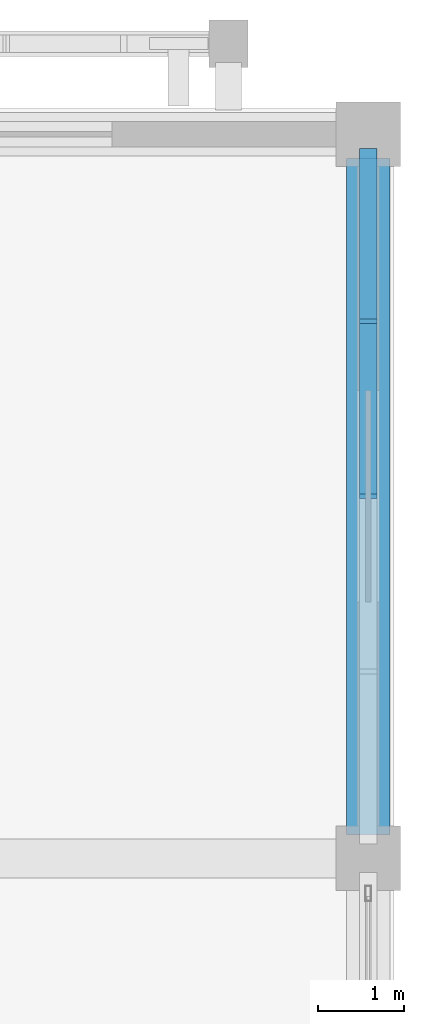
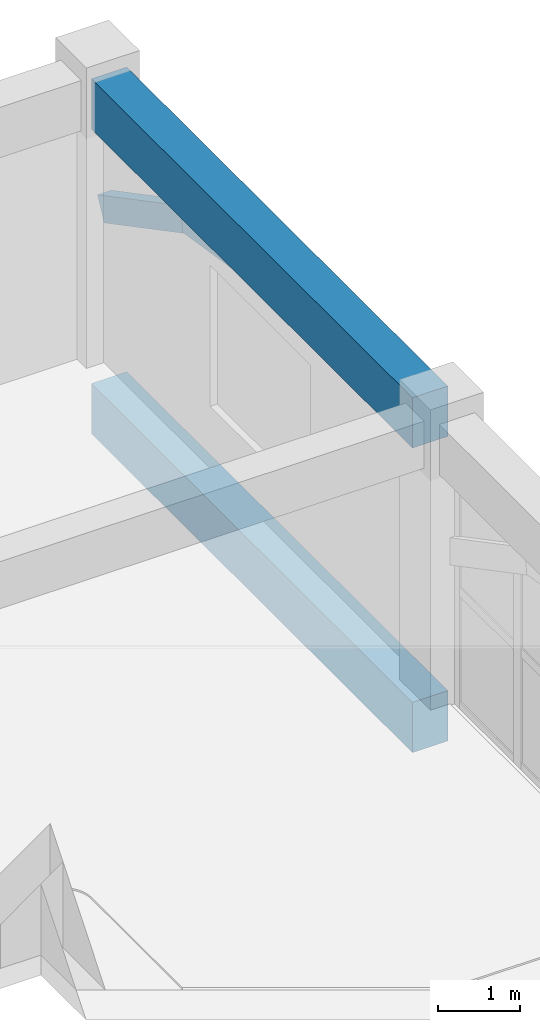
# One storey, part 84 of 114: 2 beams, 2 members.
"""IFC4 building model written with IfcOpenShell, lengths in metres."""

from ifc_helpers import new_model, si_unit, direction, frame, origin, origin_2d, place, context, subcontext, project, spatial, rectangle, extrude, material, material_profile, profile_set, type_object, element, save


model = new_model("IFC4")

# Units and contexts
model_context = context("Model", 3, precision=1e-05, world=origin(), true_north=direction((0.0, 1.0)))
body_context = subcontext(model_context, "Body", "Model", "MODEL_VIEW")
ifc_project = project(units=[si_unit("LENGTHUNIT", "METRE"), si_unit("AREAUNIT", "SQUARE_METRE"), si_unit("VOLUMEUNIT", "CUBIC_METRE"), si_unit("PLANEANGLEUNIT", "RADIAN"), si_unit("MASSUNIT", "GRAM", prefix="KILO")], contexts=[model_context])

# Site, building, storey
site_placement = place(None, origin())
site = spatial("IfcSite", under=ifc_project, at=site_placement, CompositionType="ELEMENT")
building_placement = place(site_placement, origin())
building = spatial("IfcBuilding", under=site, at=building_placement, Name="Xazarin Passage Department Store", CompositionType="ELEMENT")
storey_placement = place(building_placement, frame((0.0, 0.0, 14.39990234375)))
storey = spatial("IfcBuildingStorey", under=building, at=storey_placement, Name="L03", CompositionType="ELEMENT", Elevation=14.39990234375)

# Beams
ifc_material_1 = material(Name="Concrete C35/45", Category="concrete")
ifc_material_profile_1 = material_profile(ifc_material_1, rectangle(XDim=0.5, YDim=0.75, at=origin_2d()), Name="RC 500x750")
ifc_profile_set_1 = profile_set([ifc_material_profile_1], Name="Concrete C35/45")
beam_type = type_object("IfcBeamType", Name="STR-BM-SP500x750", PredefinedType="SPANDREL", material=ifc_profile_set_1)
for number, where, z_axis, x_axis, name in (
    (1, (144.39990234375, 101.8798828125, -0.6748046875), (0.0, 1.0, 0.0), (-1.0, 0.0, 0.0), "L03 Grid Beam 20/P-Q"),
    (2, (144.39990234375, 101.8798828125, 3.864990234375), (0.0, 1.0, 0.0), (-1.0, 0.0, 0.0), "L03 Grid Beam 20/P-Q"),
):
    element("IfcBeam", number, at=place(storey_placement, frame(where, z_axis=z_axis, x_axis=x_axis)), inside=storey, type_object=beam_type, Name=name, PredefinedType="SPANDREL", context=body_context, shape_type="SweptSolid", body=[
        extrude(rectangle(XDim=0.5, YDim=0.75, at=origin_2d()), origin(), (0.0, 0.0, 1.0), 7.840087890625),
    ])

# Members
ifc_material_2 = material(Name="Concrete C40/50", Category="concrete")
ifc_material_profile_2 = material_profile(ifc_material_2, rectangle(XDim=0.199951171875, YDim=0.360107421875, at=origin_2d()), Name="RC 200x360")
ifc_profile_set_2 = profile_set([ifc_material_profile_2], Name="Concrete C40/50")
member_type = type_object("IfcMemberType", Name="STR-MEM-ARC360", PredefinedType="CHORD", material=ifc_profile_set_2)
member_1_placement = place(storey_placement, frame((144.39990234375, 105.800048828125, 3.580078125), z_axis=(0.0, 0.987935652704, -0.154864928623), x_axis=(-1.0, 0.0, 0.0)))
element("IfcMember", 3, at=member_1_placement, inside=storey, type_object=member_type, Name="L03 V4 Upper Setback Pierced Arch 052.3", PredefinedType="CHORD", context=body_context, shape_type="SweptSolid", body=[
    extrude(rectangle(XDim=0.199951171875, YDim=0.360107421875, at=origin_2d()), origin(), (0.0, 0.0, 1.0), 1.9990234375),
])
member_2_placement = place(storey_placement, frame((144.39990234375, 107.77490234375, 3.2705078125), z_axis=(0.0, 0.88473311603, -0.466097965454), x_axis=(-1.0, 0.0, 0.0)))
element("IfcMember", 4, at=member_2_placement, inside=storey, type_object=member_type, Name="L03 V4 Upper Setback Pierced Arch 052.4", PredefinedType="CHORD", context=body_context, shape_type="SweptSolid", body=[
    extrude(rectangle(XDim=0.199951171875, YDim=0.360107421875, at=origin_2d()), origin(), (0.0, 0.0, 1.0), 2.232421875),
])

save(model, "model.ifc")
